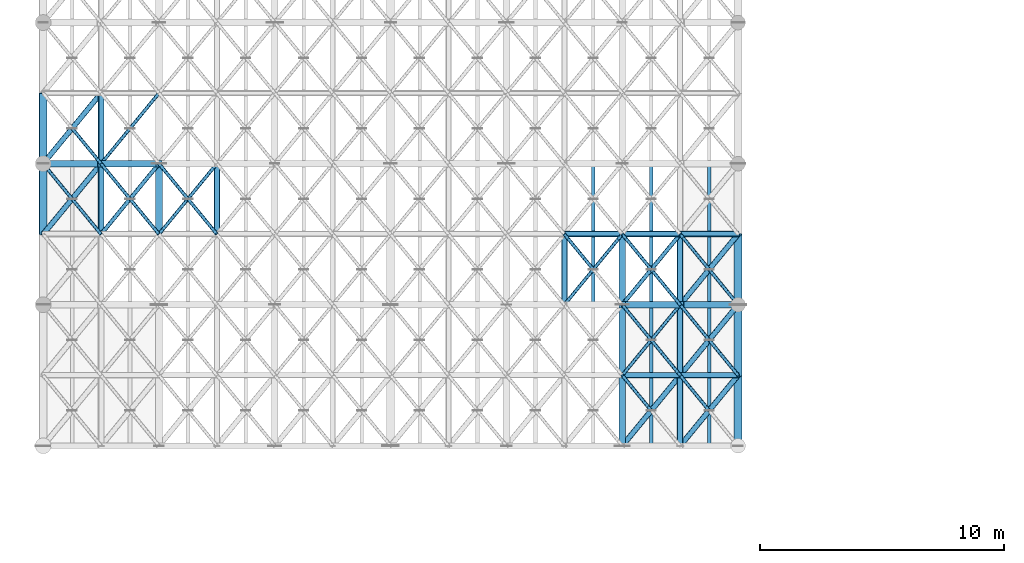
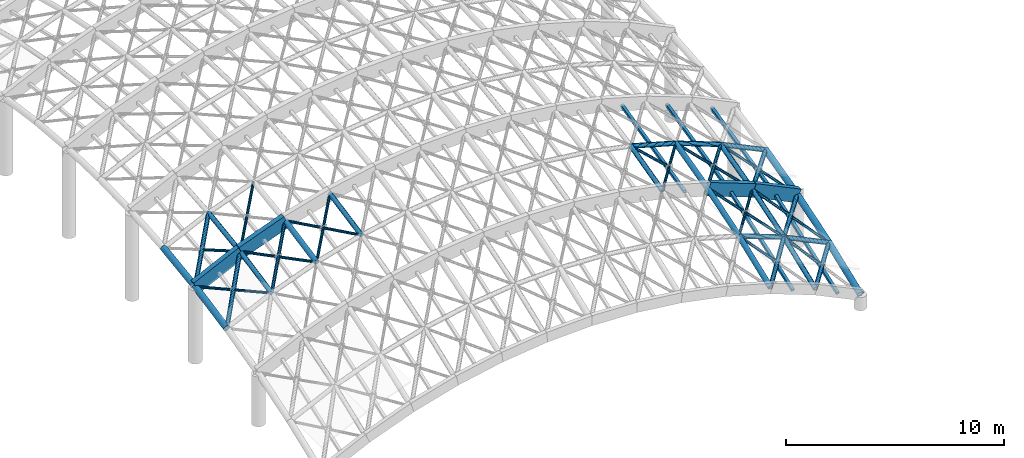
# One storey, part 37 of 146: 56 members, 4 beams.
"""IFC4 building model written with IfcOpenShell, lengths in metres."""

from ifc_helpers import new_model, si_unit, direction, frame, origin, origin_2d, place, context, subcontext, project, spatial, rectangle, hollow_rectangle, hollow_circle, extrude, material, material_profile, profile_set, type_object, element, save


model = new_model("IFC4")

# Units and contexts
model_context = context("Model", 3, precision=1e-05, world=origin(), true_north=direction((0.0, 1.0)))
body_context = subcontext(model_context, "Body", "Model", "MODEL_VIEW")
ifc_project = project(units=[si_unit("LENGTHUNIT", "METRE"), si_unit("AREAUNIT", "SQUARE_METRE"), si_unit("VOLUMEUNIT", "CUBIC_METRE"), si_unit("PLANEANGLEUNIT", "RADIAN"), si_unit("MASSUNIT", "GRAM", prefix="KILO")], contexts=[model_context])

# Site, building, storey
site_placement = place(None, origin())
site = spatial("IfcSite", under=ifc_project, at=site_placement, CompositionType="ELEMENT")
building_placement = place(site_placement, origin())
building = spatial("IfcBuilding", under=site, at=building_placement, Name="Valcora Specialist Clinic", CompositionType="ELEMENT")
storey_placement = place(building_placement, frame((0.0, 0.0, 9.52001953125)))
storey = spatial("IfcBuildingStorey", under=building, at=storey_placement, Name="L02", CompositionType="ELEMENT", Elevation=9.52001953125)

# Beams
ifc_material_1 = material(Name="Glulam Conifer Class 24F", Category="wood")
ifc_material_profile_1 = material_profile(ifc_material_1, rectangle(XDim=0.260009765625, YDim=0.719970703125, at=origin_2d()), Name="GL-ARC-260X720")
ifc_profile_set_1 = profile_set([ifc_material_profile_1], Name="Glulam Conifer Class 24F")
beam_type = type_object("IfcBeamType", Name="TY-AR-GL720", PredefinedType="JOIST", material=ifc_profile_set_1)
beam_1_placement = place(storey_placement, frame((24.5, 44.535888671875, 4.821044921875), z_axis=(0.935663448479, 0.0, -0.352893625871), x_axis=(0.0, 1.0, 0.0)))
element("IfcBeam", 1, at=beam_1_placement, inside=storey, type_object=beam_type, Name="Gridshell glulam arch chord BM-GSA-023", PredefinedType="JOIST", context=body_context, shape_type="SweptSolid", body=[
    extrude(rectangle(XDim=0.260009765625, YDim=0.719970703125, at=origin_2d()), origin(), (0.0, 0.0, 1.0), 2.538330078125),
])
for number, where, z_axis, x_axis, name in (
    (2, (26.875, 44.535888671875, 3.92529296875), (0.902225234529, 0.0, -0.431265146028), (0.0, 1.0, 0.0), "Gridshell glulam arch chord BM-GSA-024"),
    (3, (0.75, 50.321044921875, 4.11279296875), (0.902225234529, 0.0, 0.431265146028), (0.0, 1.0, 0.0), "Gridshell glulam arch chord BM-GSA-025"),
):
    element("IfcBeam", number, at=place(storey_placement, frame(where, z_axis=z_axis, x_axis=x_axis)), inside=storey, type_object=beam_type, Name=name, PredefinedType="JOIST", context=body_context, shape_type="SweptSolid", body=[
        extrude(rectangle(XDim=0.260009765625, YDim=0.719970703125, at=origin_2d()), origin(), (0.0, 0.0, 1.0), 2.63232421875),
    ])
beam_2_placement = place(storey_placement, frame((3.125, 50.321044921875, 5.248046875), z_axis=(0.935663448479, 0.0, 0.352893625871), x_axis=(0.0, 1.0, 0.0)))
element("IfcBeam", 4, at=beam_2_placement, inside=storey, type_object=beam_type, Name="Gridshell glulam arch chord BM-GSA-026", PredefinedType="JOIST", context=body_context, shape_type="SweptSolid", body=[
    extrude(rectangle(XDim=0.260009765625, YDim=0.719970703125, at=origin_2d()), origin(), (0.0, 0.0, 1.0), 2.538330078125),
])

# Members
ifc_material_2 = material(Name="Steel ASTM A500 Grade C", Category="steel")
ifc_material_profile_2 = material_profile(ifc_material_2, hollow_circle(Radius=0.1220703125, WallThickness=0.010009765625, at=origin_2d()), Name="ST-CHS-244X10")
ifc_profile_set_2 = profile_set([ifc_material_profile_2], Name="Steel ASTM A500 Grade C")
member_type_1 = type_object("IfcMemberType", Name="TY-MB-GSC244", PredefinedType="CHORD", material=ifc_profile_set_2)
member_1_placement = place(storey_placement, frame((3.125, 47.428955078125, 4.673583984375), z_axis=(0.0, 0.980837778433, 0.194826210759), x_axis=(-1.0, 0.0, 0.0)))
element("IfcMember", 5, at=member_1_placement, inside=storey, type_object=member_type_1, Name="Gridshell longitudinal chord MB-L02-0018", PredefinedType="CHORD", context=body_context, shape_type="SweptSolid", body=[
    extrude(hollow_circle(Radius=0.1220703125, WallThickness=0.010009765625, at=origin_2d()), origin(), (0.0, 0.0, 1.0), 2.948486328125),
])
member_2_placement = place(storey_placement, frame((3.125, 50.321044921875, 5.248046875), z_axis=(0.0, 0.990272777431, 0.139139592778), x_axis=(-1.0, 0.0, 0.0)))
element("IfcMember", 6, at=member_2_placement, inside=storey, type_object=member_type_1, Name="Gridshell longitudinal chord MB-L02-0019", PredefinedType="CHORD", context=body_context, shape_type="SweptSolid", body=[
    extrude(hollow_circle(Radius=0.1220703125, WallThickness=0.010009765625, at=origin_2d()), origin(), (0.0, 0.0, 1.0), 2.92138671875),
])
member_3_placement = place(storey_placement, frame((7.875, 47.428955078125, 6.2470703125), z_axis=(0.0, 0.980853597768, 0.194746552587), x_axis=(-1.0, 0.0, 0.0)))
element("IfcMember", 7, at=member_3_placement, inside=storey, type_object=member_type_1, Name="Gridshell longitudinal chord MB-L02-0046", PredefinedType="CHORD", context=body_context, shape_type="SweptSolid", body=[
    extrude(hollow_circle(Radius=0.1220703125, WallThickness=0.010009765625, at=origin_2d()), origin(), (0.0, 0.0, 1.0), 2.948486328125),
])
member_4_placement = place(storey_placement, frame((22.125, 44.535888671875, 5.498779296875), z_axis=(0.0, 0.968140082086, 0.250409227983), x_axis=(-1.0, 0.0, 0.0)))
element("IfcMember", 8, at=member_4_placement, inside=storey, type_object=member_type_1, Name="Gridshell longitudinal chord MB-L02-0129", PredefinedType="CHORD", context=body_context, shape_type="SweptSolid", body=[
    extrude(hollow_circle(Radius=0.1220703125, WallThickness=0.010009765625, at=origin_2d()), origin(), (0.0, 0.0, 1.0), 2.98828125),
])
member_5_placement = place(storey_placement, frame((26.875, 38.75, 1.87255859375), z_axis=(0.0, 0.93227902247, 0.361739995386), x_axis=(-1.0, 0.0, 0.0)))
element("IfcMember", 9, at=member_5_placement, inside=storey, type_object=member_type_1, Name="Gridshell longitudinal chord MB-L02-0155", PredefinedType="CHORD", context=body_context, shape_type="SweptSolid", body=[
    extrude(hollow_circle(Radius=0.1220703125, WallThickness=0.010009765625, at=origin_2d()), origin(), (0.0, 0.0, 1.0), 3.103271484375),
])
member_6_placement = place(storey_placement, frame((26.875, 41.64306640625, 2.9951171875), z_axis=(0.0, 0.95199595387, 0.30611060716), x_axis=(-1.0, 0.0, 0.0)))
element("IfcMember", 10, at=member_6_placement, inside=storey, type_object=member_type_1, Name="Gridshell longitudinal chord MB-L02-0156", PredefinedType="CHORD", context=body_context, shape_type="SweptSolid", body=[
    extrude(hollow_circle(Radius=0.1220703125, WallThickness=0.010009765625, at=origin_2d()), origin(), (0.0, 0.0, 1.0), 3.03857421875),
])
member_7_placement = place(storey_placement, frame((26.875, 44.535888671875, 3.92529296875), z_axis=(0.0, 0.968140082086, 0.250409227983), x_axis=(-1.0, 0.0, 0.0)))
element("IfcMember", 11, at=member_7_placement, inside=storey, type_object=member_type_1, Name="Gridshell longitudinal chord MB-L02-0157", PredefinedType="CHORD", context=body_context, shape_type="SweptSolid", body=[
    extrude(hollow_circle(Radius=0.1220703125, WallThickness=0.010009765625, at=origin_2d()), origin(), (0.0, 0.0, 1.0), 2.98828125),
])
member_8_placement = place(storey_placement, frame((24.5, 41.64306640625, 3.890625), z_axis=(0.935695204238, 0.0, -0.352809417059), x_axis=(0.0, 1.0, 0.0)))
element("IfcMember", 12, at=member_8_placement, inside=storey, type_object=member_type_1, Name="Gridshell secondary transverse chord MB-L02-0277", PredefinedType="CHORD", context=body_context, shape_type="SweptSolid", body=[
    extrude(hollow_circle(Radius=0.1220703125, WallThickness=0.010009765625, at=origin_2d()), origin(), (0.0, 0.0, 1.0), 2.538330078125),
])
member_9_placement = place(storey_placement, frame((26.875, 41.64306640625, 2.9951171875), z_axis=(0.902225234529, 0.0, -0.431265146028), x_axis=(0.0, 1.0, 0.0)))
element("IfcMember", 13, at=member_9_placement, inside=storey, type_object=member_type_1, Name="Gridshell secondary transverse chord MB-L02-0278", PredefinedType="CHORD", context=body_context, shape_type="SweptSolid", body=[
    extrude(hollow_circle(Radius=0.1220703125, WallThickness=0.010009765625, at=origin_2d()), origin(), (0.0, 0.0, 1.0), 2.63232421875),
])
member_10_placement = place(storey_placement, frame((22.125, 47.428955078125, 6.2470703125), z_axis=(0.961613421173, 0.0, -0.274407777259), x_axis=(0.0, 1.0, 0.0)))
element("IfcMember", 14, at=member_10_placement, inside=storey, type_object=member_type_1, Name="Gridshell secondary transverse chord MB-L02-0288", PredefinedType="CHORD", context=body_context, shape_type="SweptSolid", body=[
    extrude(hollow_circle(Radius=0.1220703125, WallThickness=0.010009765625, at=origin_2d()), origin(), (0.0, 0.0, 1.0), 2.4697265625),
])
member_11_placement = place(storey_placement, frame((24.5, 47.428955078125, 5.5693359375), z_axis=(0.935663448479, 0.0, -0.352893625871), x_axis=(0.0, 1.0, 0.0)))
element("IfcMember", 15, at=member_11_placement, inside=storey, type_object=member_type_1, Name="Gridshell secondary transverse chord MB-L02-0289", PredefinedType="CHORD", context=body_context, shape_type="SweptSolid", body=[
    extrude(hollow_circle(Radius=0.1220703125, WallThickness=0.010009765625, at=origin_2d()), origin(), (0.0, 0.0, 1.0), 2.538330078125),
])
member_12_placement = place(storey_placement, frame((26.875, 47.428955078125, 4.673583984375), z_axis=(0.902225234529, 0.0, -0.431265146028), x_axis=(0.0, 1.0, 0.0)))
element("IfcMember", 16, at=member_12_placement, inside=storey, type_object=member_type_1, Name="Gridshell secondary transverse chord MB-L02-0290", PredefinedType="CHORD", context=body_context, shape_type="SweptSolid", body=[
    extrude(hollow_circle(Radius=0.1220703125, WallThickness=0.010009765625, at=origin_2d()), origin(), (0.0, 0.0, 1.0), 2.63232421875),
])
ifc_material_profile_3 = material_profile(ifc_material_2, hollow_circle(Radius=0.136474609375, WallThickness=0.011962890625, at=origin_2d()), Name="ST-CHS-273X12")
ifc_profile_set_3 = profile_set([ifc_material_profile_3], Name="Steel ASTM A500 Grade C")
member_type_2 = type_object("IfcMemberType", Name="TY-MB-GSC273", PredefinedType="CHORD", material=ifc_profile_set_3)
member_13_placement = place(storey_placement, frame((5.5, 47.428955078125, 5.5693359375), z_axis=(0.0, 0.980837778433, 0.194826210759), x_axis=(-1.0, 0.0, 0.0)))
element("IfcMember", 17, at=member_13_placement, inside=storey, type_object=member_type_2, Name="Gridshell longitudinal chord MB-L02-0032", PredefinedType="CHORD", context=body_context, shape_type="SweptSolid", body=[
    extrude(hollow_circle(Radius=0.136474609375, WallThickness=0.011962890625, at=origin_2d()), origin(), (0.0, 0.0, 1.0), 2.948486328125),
])
member_14_placement = place(storey_placement, frame((24.5, 38.75, 2.76806640625), z_axis=(0.0, 0.93227902247, 0.361739995386), x_axis=(-1.0, 0.0, 0.0)))
element("IfcMember", 18, at=member_14_placement, inside=storey, type_object=member_type_2, Name="Gridshell longitudinal chord MB-L02-0141", PredefinedType="CHORD", context=body_context, shape_type="SweptSolid", body=[
    extrude(hollow_circle(Radius=0.136474609375, WallThickness=0.011962890625, at=origin_2d()), origin(), (0.0, 0.0, 1.0), 3.103271484375),
])
member_15_placement = place(storey_placement, frame((24.5, 41.64306640625, 3.890625), z_axis=(0.0, 0.951972538131, 0.306183419936), x_axis=(-1.0, 0.0, 0.0)))
element("IfcMember", 19, at=member_15_placement, inside=storey, type_object=member_type_2, Name="Gridshell longitudinal chord MB-L02-0142", PredefinedType="CHORD", context=body_context, shape_type="SweptSolid", body=[
    extrude(hollow_circle(Radius=0.136474609375, WallThickness=0.011962890625, at=origin_2d()), origin(), (0.0, 0.0, 1.0), 3.038818359375),
])
member_16_placement = place(storey_placement, frame((24.5, 44.535888671875, 4.821044921875), z_axis=(0.0, 0.968140082086, 0.250409227983), x_axis=(-1.0, 0.0, 0.0)))
element("IfcMember", 20, at=member_16_placement, inside=storey, type_object=member_type_2, Name="Gridshell longitudinal chord MB-L02-0143", PredefinedType="CHORD", context=body_context, shape_type="SweptSolid", body=[
    extrude(hollow_circle(Radius=0.136474609375, WallThickness=0.011962890625, at=origin_2d()), origin(), (0.0, 0.0, 1.0), 2.98828125),
])
ifc_material_profile_4 = material_profile(ifc_material_2, hollow_circle(Radius=0.162109375, WallThickness=0.011962890625, at=origin_2d()), Name="ST-CHS-324X12")
ifc_profile_set_4 = profile_set([ifc_material_profile_4], Name="Steel ASTM A500 Grade C")
member_type_3 = type_object("IfcMemberType", Name="TY-MB-GSC324", PredefinedType="CHORD", material=ifc_profile_set_4)
member_17_placement = place(storey_placement, frame((0.75, 47.428955078125, 3.538330078125), z_axis=(0.0, 0.980837778433, 0.194826210759), x_axis=(-1.0, 0.0, 0.0)))
element("IfcMember", 21, at=member_17_placement, inside=storey, type_object=member_type_3, Name="Gridshell longitudinal chord MB-L02-0004", PredefinedType="CHORD", context=body_context, shape_type="SweptSolid", body=[
    extrude(hollow_circle(Radius=0.162109375, WallThickness=0.011962890625, at=origin_2d()), origin(), (0.0, 0.0, 1.0), 2.948486328125),
])
member_18_placement = place(storey_placement, frame((0.75, 50.321044921875, 4.11279296875), z_axis=(0.0, 0.990272777431, 0.139139592778), x_axis=(-1.0, 0.0, 0.0)))
element("IfcMember", 22, at=member_18_placement, inside=storey, type_object=member_type_3, Name="Gridshell longitudinal chord MB-L02-0005", PredefinedType="CHORD", context=body_context, shape_type="SweptSolid", body=[
    extrude(hollow_circle(Radius=0.162109375, WallThickness=0.011962890625, at=origin_2d()), origin(), (0.0, 0.0, 1.0), 2.92138671875),
])
member_19_placement = place(storey_placement, frame((29.25, 38.75, 0.737060546875), z_axis=(0.0, 0.932252488717, 0.361808370938), x_axis=(-1.0, 0.0, 0.0)))
element("IfcMember", 23, at=member_19_placement, inside=storey, type_object=member_type_3, Name="Gridshell longitudinal chord MB-L02-0169", PredefinedType="CHORD", context=body_context, shape_type="SweptSolid", body=[
    extrude(hollow_circle(Radius=0.162109375, WallThickness=0.011962890625, at=origin_2d()), origin(), (0.0, 0.0, 1.0), 3.103271484375),
])
member_20_placement = place(storey_placement, frame((29.25, 41.64306640625, 1.85986328125), z_axis=(0.0, 0.95199595387, 0.30611060716), x_axis=(-1.0, 0.0, 0.0)))
element("IfcMember", 24, at=member_20_placement, inside=storey, type_object=member_type_3, Name="Gridshell longitudinal chord MB-L02-0170", PredefinedType="CHORD", context=body_context, shape_type="SweptSolid", body=[
    extrude(hollow_circle(Radius=0.162109375, WallThickness=0.011962890625, at=origin_2d()), origin(), (0.0, 0.0, 1.0), 3.03857421875),
])
member_21_placement = place(storey_placement, frame((29.25, 44.535888671875, 2.7900390625), z_axis=(0.0, 0.968140082086, 0.250409227983), x_axis=(-1.0, 0.0, 0.0)))
element("IfcMember", 25, at=member_21_placement, inside=storey, type_object=member_type_3, Name="Gridshell longitudinal chord MB-L02-0171", PredefinedType="CHORD", context=body_context, shape_type="SweptSolid", body=[
    extrude(hollow_circle(Radius=0.162109375, WallThickness=0.011962890625, at=origin_2d()), origin(), (0.0, 0.0, 1.0), 2.98828125),
])
ifc_material_profile_5 = material_profile(ifc_material_2, hollow_circle(Radius=0.070068359375, WallThickness=0.006103515625, at=origin_2d()), Name="ST-CHS-140X6")
ifc_profile_set_5 = profile_set([ifc_material_profile_5], Name="Steel ASTM A500 Grade C")
member_type_4 = type_object("IfcMemberType", Name="TY-MB-GSD140", PredefinedType="BRACE", material=ifc_profile_set_5)
member_22_placement = place(storey_placement, frame((3.125, 47.428955078125, 4.673583984375), z_axis=(-0.627622694477, 0.764269987539, -0.148260377458), x_axis=(-0.772810813765, -0.634636467694, 0.0)))
element("IfcMember", 26, at=member_22_placement, inside=storey, type_object=member_type_4, Name="Gridshell split counter diagrid A MB-L02-0358", PredefinedType="BRACE", context=body_context, shape_type="SweptSolid", body=[
    extrude(hollow_circle(Radius=0.070068359375, WallThickness=0.006103515625, at=origin_2d()), origin(), (0.0, 0.0, 1.0), 1.89208984375),
])
member_23_placement = place(storey_placement, frame((3.125, 50.321044921875, 5.248046875), z_axis=(-0.62280625191, 0.75866098737, -0.191169764412), x_axis=(-0.772915884105, -0.634508499626, 0.0)))
element("IfcMember", 27, at=member_23_placement, inside=storey, type_object=member_type_4, Name="Gridshell split counter diagrid A MB-L02-0360", PredefinedType="BRACE", context=body_context, shape_type="SweptSolid", body=[
    extrude(hollow_circle(Radius=0.070068359375, WallThickness=0.006103515625, at=origin_2d()), origin(), (0.0, 0.0, 1.0), 1.90673828125),
])
member_24_placement = place(storey_placement, frame((5.5, 47.428955078125, 5.5693359375), z_axis=(-0.632310428758, 0.769978344888, -0.085538705206), x_axis=(-0.772810813765, -0.634636467694, 0.0)))
element("IfcMember", 28, at=member_24_placement, inside=storey, type_object=member_type_4, Name="Gridshell split counter diagrid A MB-L02-0386", PredefinedType="BRACE", context=body_context, shape_type="SweptSolid", body=[
    extrude(hollow_circle(Radius=0.070068359375, WallThickness=0.006103515625, at=origin_2d()), origin(), (0.0, 0.0, 1.0), 1.8779296875),
])
member_25_placement = place(storey_placement, frame((3.125, 50.321044921875, 5.248046875), z_axis=(0.599287772964, 0.730012346795, 0.328536358266), x_axis=(-0.772915884105, 0.634508499626, 0.0)))
element("IfcMember", 29, at=member_25_placement, inside=storey, type_object=member_type_4, Name="Gridshell primary diagrid MB-L02-0387", PredefinedType="BRACE", context=body_context, shape_type="SweptSolid", body=[
    extrude(hollow_circle(Radius=0.070068359375, WallThickness=0.006103515625, at=origin_2d()), origin(), (0.0, 0.0, 1.0), 3.963134765625),
])
member_26_placement = place(storey_placement, frame((5.5, 47.428955078125, 5.5693359375), z_axis=(0.601850593551, 0.732886732237, 0.317258413212), x_axis=(-0.772810813765, 0.634636467694, 0.0)))
element("IfcMember", 30, at=member_26_placement, inside=storey, type_object=member_type_4, Name="Gridshell primary diagrid MB-L02-0413", PredefinedType="BRACE", context=body_context, shape_type="SweptSolid", body=[
    extrude(hollow_circle(Radius=0.070068359375, WallThickness=0.006103515625, at=origin_2d()), origin(), (0.0, 0.0, 1.0), 3.946044921875),
])
member_27_placement = place(storey_placement, frame((7.875, 47.428955078125, 6.2470703125), z_axis=(-0.634393817561, 0.77251533335, -0.02765038843), x_axis=(-0.772810813765, -0.634636467694, 0.0)))
element("IfcMember", 31, at=member_27_placement, inside=storey, type_object=member_type_4, Name="Gridshell split counter diagrid A MB-L02-0414", PredefinedType="BRACE", context=body_context, shape_type="SweptSolid", body=[
    extrude(hollow_circle(Radius=0.070068359375, WallThickness=0.006103515625, at=origin_2d()), origin(), (0.0, 0.0, 1.0), 1.871826171875),
])
member_28_placement = place(storey_placement, frame((22.125, 44.535888671875, 5.498779296875), z_axis=(0.634395801893, 0.772778603252, 0.018846668046), x_axis=(-0.772915884105, 0.634508499626, 0.0)))
element("IfcMember", 32, at=member_28_placement, inside=storey, type_object=member_type_4, Name="Gridshell primary diagrid MB-L02-0607", PredefinedType="BRACE", context=body_context, shape_type="SweptSolid", body=[
    extrude(hollow_circle(Radius=0.070068359375, WallThickness=0.006103515625, at=origin_2d()), origin(), (0.0, 0.0, 1.0), 3.74365234375),
])
member_29_placement = place(storey_placement, frame((24.5, 41.64306640625, 3.890625), z_axis=(0.634513270847, 0.772856470628, 0.009262015261), x_axis=(-0.772889622479, 0.634540488436, 0.0)))
element("IfcMember", 33, at=member_29_placement, inside=storey, type_object=member_type_4, Name="Gridshell primary diagrid MB-L02-0633", PredefinedType="BRACE", context=body_context, shape_type="SweptSolid", body=[
    extrude(hollow_circle(Radius=0.070068359375, WallThickness=0.006103515625, at=origin_2d()), origin(), (0.0, 0.0, 1.0), 3.742919921875),
])
member_30_placement = place(storey_placement, frame((26.875, 41.64306640625, 2.9951171875), z_axis=(-0.570288028335, 0.694686794384, 0.438385472439), x_axis=(-0.772915884105, -0.634508499626, 0.0)))
element("IfcMember", 34, at=member_30_placement, inside=storey, type_object=member_type_4, Name="Gridshell split counter diagrid A MB-L02-0634", PredefinedType="BRACE", context=body_context, shape_type="SweptSolid", body=[
    extrude(hollow_circle(Radius=0.070068359375, WallThickness=0.006103515625, at=origin_2d()), origin(), (0.0, 0.0, 1.0), 2.082275390625),
])
member_31_placement = place(storey_placement, frame((26.875, 44.535888671875, 3.92529296875), z_axis=(-0.580941027046, 0.707663566046, 0.402144004536), x_axis=(-0.772915884105, -0.634508499626, 0.0)))
element("IfcMember", 35, at=member_31_placement, inside=storey, type_object=member_type_4, Name="Gridshell split counter diagrid A MB-L02-0636", PredefinedType="BRACE", context=body_context, shape_type="SweptSolid", body=[
    extrude(hollow_circle(Radius=0.070068359375, WallThickness=0.006103515625, at=origin_2d()), origin(), (0.0, 0.0, 1.0), 2.044189453125),
])
member_32_placement = place(storey_placement, frame((29.25, 41.64306640625, 1.85986328125), z_axis=(-0.555542894543, 0.676725257025, 0.483130436661), x_axis=(-0.772915884105, -0.634508499626, 0.0)))
element("IfcMember", 36, at=member_32_placement, inside=storey, type_object=member_type_4, Name="Gridshell split counter diagrid A MB-L02-0662", PredefinedType="BRACE", context=body_context, shape_type="SweptSolid", body=[
    extrude(hollow_circle(Radius=0.070068359375, WallThickness=0.006103515625, at=origin_2d()), origin(), (0.0, 0.0, 1.0), 2.137451171875),
])
member_33_placement = place(storey_placement, frame((29.25, 44.535888671875, 2.7900390625), z_axis=(-0.566777037933, 0.690409940327, 0.449553004183), x_axis=(-0.772915884105, -0.634508499626, 0.0)))
element("IfcMember", 37, at=member_33_placement, inside=storey, type_object=member_type_4, Name="Gridshell split counter diagrid A MB-L02-0664", PredefinedType="BRACE", context=body_context, shape_type="SweptSolid", body=[
    extrude(hollow_circle(Radius=0.070068359375, WallThickness=0.006103515625, at=origin_2d()), origin(), (0.0, 0.0, 1.0), 2.09521484375),
])
member_34_placement = place(storey_placement, frame((1.9375, 48.875, 4.39306640625), z_axis=(-0.627634696439, 0.764284602592, -0.148134175887), x_axis=(-0.772810813765, -0.634636467694, 0.0)))
element("IfcMember", 38, at=member_34_placement, inside=storey, type_object=member_type_4, Name="Gridshell split counter diagrid B 4", PredefinedType="BRACE", context=body_context, shape_type="SweptSolid", body=[
    extrude(hollow_circle(Radius=0.070068359375, WallThickness=0.006103515625, at=origin_2d()), origin(), (0.0, 0.0, 1.0), 1.89208984375),
])
member_35_placement = place(storey_placement, frame((4.3125, 48.875, 5.40869140625), z_axis=(-0.632310428758, 0.769978344888, -0.085538705206), x_axis=(-0.772810813765, -0.634636467694, 0.0)))
element("IfcMember", 39, at=member_35_placement, inside=storey, type_object=member_type_4, Name="Gridshell split counter diagrid B 18", PredefinedType="BRACE", context=body_context, shape_type="SweptSolid", body=[
    extrude(hollow_circle(Radius=0.070068359375, WallThickness=0.006103515625, at=origin_2d()), origin(), (0.0, 0.0, 1.0), 1.8779296875),
])
member_36_placement = place(storey_placement, frame((6.6875, 48.875, 6.1953125), z_axis=(-0.634396100017, 0.772518112747, -0.027520061082), x_axis=(-0.772810813765, -0.634636467694, 0.0)))
element("IfcMember", 40, at=member_36_placement, inside=storey, type_object=member_type_4, Name="Gridshell split counter diagrid B 32", PredefinedType="BRACE", context=body_context, shape_type="SweptSolid", body=[
    extrude(hollow_circle(Radius=0.070068359375, WallThickness=0.006103515625, at=origin_2d()), origin(), (0.0, 0.0, 1.0), 1.871826171875),
])
member_37_placement = place(storey_placement, frame((23.3125, 45.982421875, 5.533935546875), z_axis=(-0.592922283717, 0.722258332859, 0.356070310596), x_axis=(-0.772915884105, -0.634508499626, 0.0)))
element("IfcMember", 41, at=member_37_placement, inside=storey, type_object=member_type_4, Name="Gridshell split counter diagrid B 129", PredefinedType="BRACE", context=body_context, shape_type="SweptSolid", body=[
    extrude(hollow_circle(Radius=0.070068359375, WallThickness=0.006103515625, at=origin_2d()), origin(), (0.0, 0.0, 1.0), 2.002685546875),
])
member_38_placement = place(storey_placement, frame((25.6875, 40.196533203125, 2.881591796875), z_axis=(-0.558505905222, 0.680334598775, 0.474569265272), x_axis=(-0.772915884105, -0.634508499626, 0.0)))
element("IfcMember", 42, at=member_38_placement, inside=storey, type_object=member_type_4, Name="Gridshell split counter diagrid B 141", PredefinedType="BRACE", context=body_context, shape_type="SweptSolid", body=[
    extrude(hollow_circle(Radius=0.070068359375, WallThickness=0.006103515625, at=origin_2d()), origin(), (0.0, 0.0, 1.0), 2.126220703125),
])
member_39_placement = place(storey_placement, frame((25.6875, 43.089599609375, 3.907958984375), z_axis=(-0.570305158701, 0.694590411214, 0.438515890942), x_axis=(-0.772863356881, -0.634572479384, 0.0)))
element("IfcMember", 43, at=member_39_placement, inside=storey, type_object=member_type_4, Name="Gridshell split counter diagrid B 142", PredefinedType="BRACE", context=body_context, shape_type="SweptSolid", body=[
    extrude(hollow_circle(Radius=0.070068359375, WallThickness=0.006103515625, at=origin_2d()), origin(), (0.0, 0.0, 1.0), 2.082275390625),
])
member_40_placement = place(storey_placement, frame((25.6875, 45.982421875, 4.747314453125), z_axis=(-0.580941027046, 0.707663566046, 0.402144004536), x_axis=(-0.772915884105, -0.634508499626, 0.0)))
element("IfcMember", 44, at=member_40_placement, inside=storey, type_object=member_type_4, Name="Gridshell split counter diagrid B 143", PredefinedType="BRACE", context=body_context, shape_type="SweptSolid", body=[
    extrude(hollow_circle(Radius=0.070068359375, WallThickness=0.006103515625, at=origin_2d()), origin(), (0.0, 0.0, 1.0), 2.044189453125),
])
member_41_placement = place(storey_placement, frame((28.0625, 40.196533203125, 1.8662109375), z_axis=(-0.54331788705, 0.661833569238, 0.516509438676), x_axis=(-0.772915884105, -0.634508499626, 0.0)))
element("IfcMember", 45, at=member_41_placement, inside=storey, type_object=member_type_4, Name="Gridshell split counter diagrid B 155", PredefinedType="BRACE", context=body_context, shape_type="SweptSolid", body=[
    extrude(hollow_circle(Radius=0.070068359375, WallThickness=0.006103515625, at=origin_2d()), origin(), (0.0, 0.0, 1.0), 2.185546875),
])
member_42_placement = place(storey_placement, frame((28.0625, 43.089599609375, 2.892578125), z_axis=(-0.555585835104, 0.676663340287, 0.483167780117), x_axis=(-0.772863356881, -0.634572479384, 0.0)))
element("IfcMember", 46, at=member_42_placement, inside=storey, type_object=member_type_4, Name="Gridshell split counter diagrid B 156", PredefinedType="BRACE", context=body_context, shape_type="SweptSolid", body=[
    extrude(hollow_circle(Radius=0.070068359375, WallThickness=0.006103515625, at=origin_2d()), origin(), (0.0, 0.0, 1.0), 2.137451171875),
])
member_43_placement = place(storey_placement, frame((28.0625, 45.982421875, 3.73193359375), z_axis=(-0.566806726529, 0.690446104993, 0.449460021427), x_axis=(-0.772915884105, -0.634508499626, 0.0)))
element("IfcMember", 47, at=member_43_placement, inside=storey, type_object=member_type_4, Name="Gridshell split counter diagrid B 157", PredefinedType="BRACE", context=body_context, shape_type="SweptSolid", body=[
    extrude(hollow_circle(Radius=0.070068359375, WallThickness=0.006103515625, at=origin_2d()), origin(), (0.0, 0.0, 1.0), 2.094970703125),
])
ifc_material_profile_6 = material_profile(ifc_material_2, hollow_circle(Radius=0.083984375, WallThickness=0.008056640625, at=origin_2d()), Name="ST-CHS-168X8")
ifc_profile_set_6 = profile_set([ifc_material_profile_6], Name="Steel ASTM A500 Grade C")
member_type_5 = type_object("IfcMemberType", Name="TY-MB-GSD168", PredefinedType="BRACE", material=ifc_profile_set_6)
member_44_placement = place(storey_placement, frame((3.125, 47.428955078125, 4.673583984375), z_axis=(0.590687465393, 0.719293145049, 0.365657886163), x_axis=(-0.772810813765, 0.634636467694, 0.0)))
element("IfcMember", 48, at=member_44_placement, inside=storey, type_object=member_type_5, Name="Gridshell primary diagrid MB-L02-0385", PredefinedType="BRACE", context=body_context, shape_type="SweptSolid", body=[
    extrude(hollow_circle(Radius=0.083984375, WallThickness=0.008056640625, at=origin_2d()), origin(), (0.0, 0.0, 1.0), 4.020751953125),
])
member_45_placement = place(storey_placement, frame((24.5, 44.535888671875, 4.821044921875), z_axis=(0.634016682193, 0.77231678495, -0.039365344988), x_axis=(-0.772915884105, 0.634508499626, 0.0)))
element("IfcMember", 49, at=member_45_placement, inside=storey, type_object=member_type_5, Name="Gridshell primary diagrid MB-L02-0635", PredefinedType="BRACE", context=body_context, shape_type="SweptSolid", body=[
    extrude(hollow_circle(Radius=0.083984375, WallThickness=0.008056640625, at=origin_2d()), origin(), (0.0, 0.0, 1.0), 3.745849609375),
])
ifc_material_profile_7 = material_profile(ifc_material_2, hollow_circle(Radius=0.109619140625, WallThickness=0.010009765625, at=origin_2d()), Name="ST-CHS-219X10")
ifc_profile_set_7 = profile_set([ifc_material_profile_7], Name="Steel ASTM A500 Grade C")
member_type_6 = type_object("IfcMemberType", Name="TY-MB-GSD219", PredefinedType="BRACE", material=ifc_profile_set_7)
member_46_placement = place(storey_placement, frame((0.75, 47.428955078125, 3.538330078125), z_axis=(0.577246829177, 0.702926186105, 0.41554888412), x_axis=(-0.772810813765, 0.634636467694, 0.0)))
element("IfcMember", 50, at=member_46_placement, inside=storey, type_object=member_type_6, Name="Gridshell primary diagrid MB-L02-0357", PredefinedType="BRACE", context=body_context, shape_type="SweptSolid", body=[
    extrude(hollow_circle(Radius=0.109619140625, WallThickness=0.010009765625, at=origin_2d()), origin(), (0.0, 0.0, 1.0), 4.1142578125),
])
member_47_placement = place(storey_placement, frame((0.75, 50.321044921875, 4.11279296875), z_axis=(0.586689055703, 0.714665430724, 0.380853349791), x_axis=(-0.772915884105, 0.634508499626, 0.0)))
element("IfcMember", 51, at=member_47_placement, inside=storey, type_object=member_type_6, Name="Gridshell primary diagrid MB-L02-0359", PredefinedType="BRACE", context=body_context, shape_type="SweptSolid", body=[
    extrude(hollow_circle(Radius=0.109619140625, WallThickness=0.010009765625, at=origin_2d()), origin(), (0.0, 0.0, 1.0), 4.048095703125),
])
member_48_placement = place(storey_placement, frame((24.5, 38.75, 2.76806640625), z_axis=(0.633344361205, 0.771497808417, 0.060547929268), x_axis=(-0.772915884105, 0.634508499626, 0.0)))
element("IfcMember", 52, at=member_48_placement, inside=storey, type_object=member_type_6, Name="Gridshell primary diagrid MB-L02-0631", PredefinedType="BRACE", context=body_context, shape_type="SweptSolid", body=[
    extrude(hollow_circle(Radius=0.109619140625, WallThickness=0.010009765625, at=origin_2d()), origin(), (0.0, 0.0, 1.0), 3.75),
])
member_49_placement = place(storey_placement, frame((26.875, 38.75, 1.87255859375), z_axis=(0.634504850086, 0.772911438479, -0.003391678886), x_axis=(-0.772915884105, 0.634508499626, 0.0)))
element("IfcMember", 53, at=member_49_placement, inside=storey, type_object=member_type_6, Name="Gridshell primary diagrid MB-L02-0659", PredefinedType="BRACE", context=body_context, shape_type="SweptSolid", body=[
    extrude(hollow_circle(Radius=0.109619140625, WallThickness=0.010009765625, at=origin_2d()), origin(), (0.0, 0.0, 1.0), 3.7431640625),
])
member_50_placement = place(storey_placement, frame((26.875, 41.64306640625, 2.9951171875), z_axis=(0.633590139805, 0.77173206893, -0.054709674901), x_axis=(-0.772889622479, 0.634540488436, 0.0)))
element("IfcMember", 54, at=member_50_placement, inside=storey, type_object=member_type_6, Name="Gridshell primary diagrid MB-L02-0661", PredefinedType="BRACE", context=body_context, shape_type="SweptSolid", body=[
    extrude(hollow_circle(Radius=0.109619140625, WallThickness=0.010009765625, at=origin_2d()), origin(), (0.0, 0.0, 1.0), 3.74853515625),
])
member_51_placement = place(storey_placement, frame((26.875, 44.535888671875, 3.92529296875), z_axis=(0.631144705092, 0.768818334225, -0.102833507152), x_axis=(-0.772915884105, 0.634508499626, 0.0)))
element("IfcMember", 55, at=member_51_placement, inside=storey, type_object=member_type_6, Name="Gridshell primary diagrid MB-L02-0663", PredefinedType="BRACE", context=body_context, shape_type="SweptSolid", body=[
    extrude(hollow_circle(Radius=0.109619140625, WallThickness=0.010009765625, at=origin_2d()), origin(), (0.0, 0.0, 1.0), 3.762939453125),
])
ifc_material_profile_8 = material_profile(ifc_material_2, hollow_rectangle(XDim=0.14990234375, YDim=0.14990234375, WallThickness=0.006103515625, at=origin_2d()), Name="ST-RHS-150X150X6")
ifc_profile_set_8 = profile_set([ifc_material_profile_8], Name="Steel ASTM A500 Grade C")
member_type_7 = type_object("IfcMemberType", Name="TY-MB-PR150", PredefinedType="PURLIN", material=ifc_profile_set_8)
member_52_placement = place(storey_placement, frame((23.31201171875, 44.535888671875, 5.039794921875), z_axis=(0.0, 0.974842673844, 0.22289405836), x_axis=(-1.0, 0.0, 0.0)))
element("IfcMember", 56, at=member_52_placement, inside=storey, type_object=member_type_7, Name="Gridshell secondary purlin MB-L02-0247", PredefinedType="PURLIN", context=body_context, shape_type="SweptSolid", body=[
    extrude(hollow_rectangle(XDim=0.14990234375, YDim=0.14990234375, WallThickness=0.006103515625, at=origin_2d()), origin(), (0.0, 0.0, 1.0), 5.9345703125),
])
member_53_placement = place(storey_placement, frame((25.68798828125, 38.75, 2.2001953125), z_axis=(0.0, 0.942431788241, 0.33439845172), x_axis=(-1.0, 0.0, 0.0)))
element("IfcMember", 57, at=member_53_placement, inside=storey, type_object=member_type_7, Name="Gridshell secondary purlin MB-L02-0253", PredefinedType="PURLIN", context=body_context, shape_type="SweptSolid", body=[
    extrude(hollow_rectangle(XDim=0.14990234375, YDim=0.14990234375, WallThickness=0.006103515625, at=origin_2d()), origin(), (0.0, 0.0, 1.0), 6.139404296875),
])
member_54_placement = place(storey_placement, frame((25.68798828125, 44.535888671875, 4.253173828125), z_axis=(0.0, 0.974842673844, 0.22289405836), x_axis=(-1.0, 0.0, 0.0)))
element("IfcMember", 58, at=member_54_placement, inside=storey, type_object=member_type_7, Name="Gridshell secondary purlin MB-L02-0254", PredefinedType="PURLIN", context=body_context, shape_type="SweptSolid", body=[
    extrude(hollow_rectangle(XDim=0.14990234375, YDim=0.14990234375, WallThickness=0.006103515625, at=origin_2d()), origin(), (0.0, 0.0, 1.0), 5.9345703125),
])
member_55_placement = place(storey_placement, frame((28.06201171875, 38.75, 1.184814453125), z_axis=(0.0, 0.942444320141, 0.334363131092), x_axis=(-1.0, 0.0, 0.0)))
element("IfcMember", 59, at=member_55_placement, inside=storey, type_object=member_type_7, Name="Gridshell secondary purlin MB-L02-0260", PredefinedType="PURLIN", context=body_context, shape_type="SweptSolid", body=[
    extrude(hollow_rectangle(XDim=0.14990234375, YDim=0.14990234375, WallThickness=0.006103515625, at=origin_2d()), origin(), (0.0, 0.0, 1.0), 6.13916015625),
])
member_56_placement = place(storey_placement, frame((28.06201171875, 44.535888671875, 3.237548828125), z_axis=(0.0, 0.974842673844, 0.22289405836), x_axis=(-1.0, 0.0, 0.0)))
element("IfcMember", 60, at=member_56_placement, inside=storey, type_object=member_type_7, Name="Gridshell secondary purlin MB-L02-0261", PredefinedType="PURLIN", context=body_context, shape_type="SweptSolid", body=[
    extrude(hollow_rectangle(XDim=0.14990234375, YDim=0.14990234375, WallThickness=0.006103515625, at=origin_2d()), origin(), (0.0, 0.0, 1.0), 5.9345703125),
])

save(model, "model.ifc")
